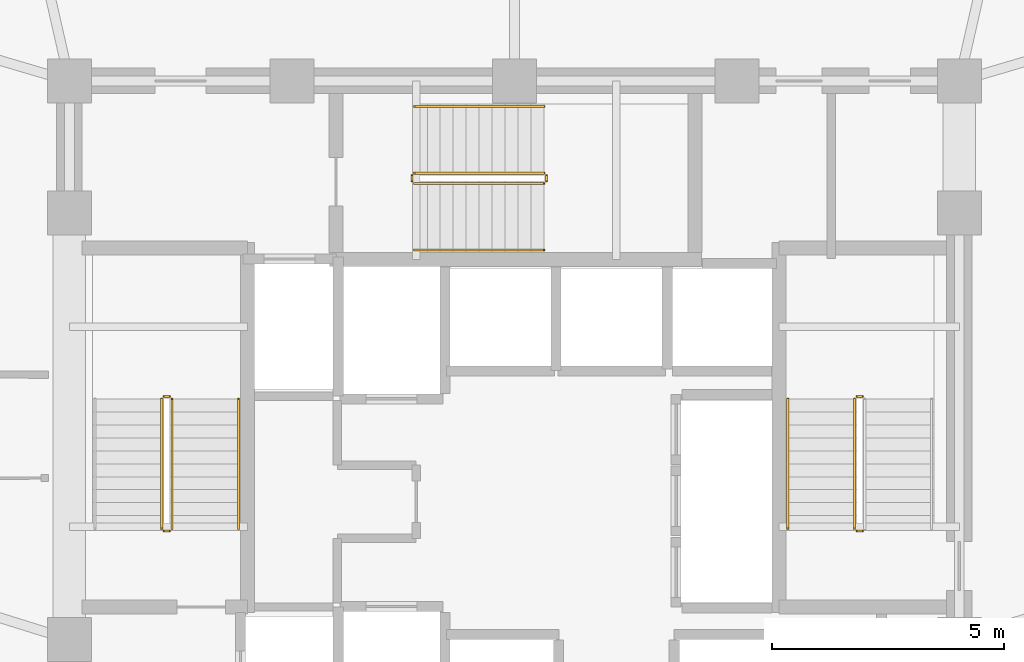
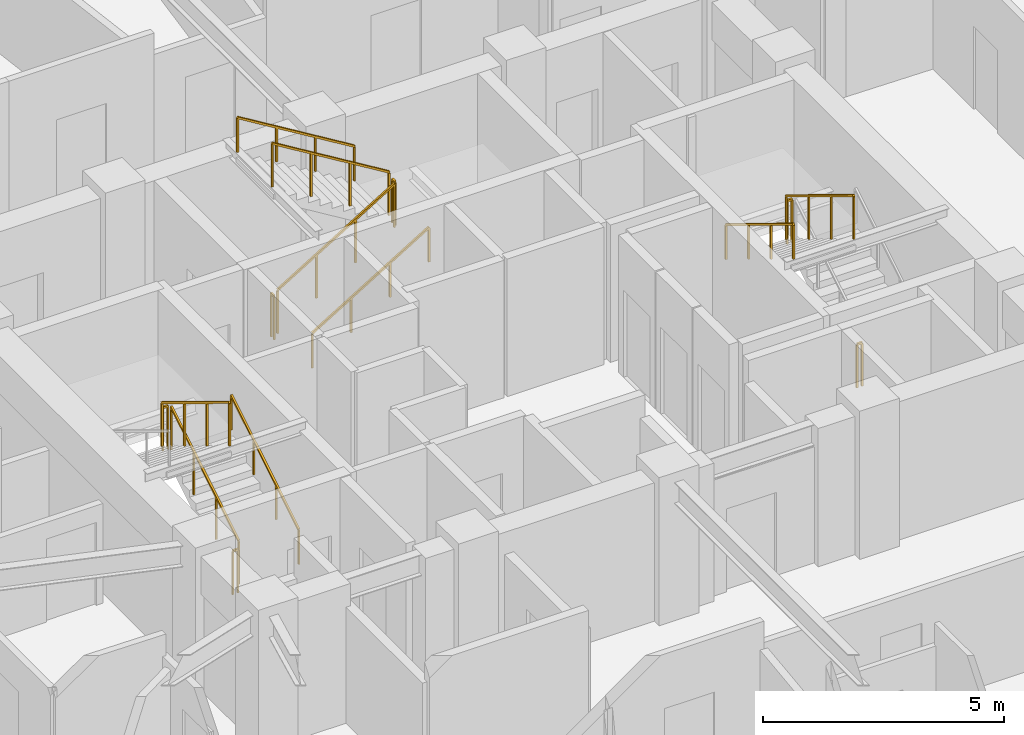
# One storey, part 12 of 13: 15 railings.
"""IFC4 building model written with IfcOpenShell, lengths in metres."""

from ifc_helpers import new_model, si_unit, direction, frame, origin, origin_2d, place, context, subcontext, project, spatial, rectangle, extrude, material, type_object, element, save


model = new_model("IFC4")

# Units and contexts
model_context = context("Model", 3, precision=1e-05, world=origin(), true_north=direction((0.0, 1.0)))
body_context = subcontext(model_context, "Body", "Model", "MODEL_VIEW")
ifc_project = project(units=[si_unit("LENGTHUNIT", "METRE"), si_unit("AREAUNIT", "SQUARE_METRE"), si_unit("VOLUMEUNIT", "CUBIC_METRE"), si_unit("PLANEANGLEUNIT", "RADIAN"), si_unit("MASSUNIT", "GRAM", prefix="KILO")], contexts=[model_context])

# Site, building, storey
site_placement = place(None, origin())
site = spatial("IfcSite", under=ifc_project, at=site_placement, CompositionType="ELEMENT")
building_placement = place(site_placement, origin())
building = spatial("IfcBuilding", under=site, at=building_placement, Name="Vantalir Tower", CompositionType="ELEMENT")
storey_placement = place(building_placement, frame((0.0, 0.0, 172.199951171875)))
storey = spatial("IfcBuildingStorey", under=building, at=storey_placement, Name="L43", CompositionType="ELEMENT", Elevation=172.199951171875)

# Railings
ifc_material_1 = material(Name="Anodised aluminium and stainless steel guard", Category="steel")
railing_type_1 = type_object("IfcRailingType", Name="RAL-GUARD-1120", PredefinedType="GUARDRAIL", material=ifc_material_1)
railing_1_placement = place(storey_placement, frame((24.110107421875, 22.7900390625, 0.17041015625)))
element("IfcRailing", 1, at=railing_1_placement, inside=storey, type_object=railing_type_1, Name="L43 ST1 stair guard 1", PredefinedType="GUARDRAIL", context=body_context, shape_type="SweptSolid", body=[
    extrude(rectangle(XDim=0.048095703125, YDim=0.048095703125, at=origin_2d()), frame((0.0, 0.0, 1.09619140625), z_axis=(0.0, 0.854169791009, 0.51999420009), x_axis=(-1.0, 0.0, 0.0)), (0.0, 0.0, 1.0), 3.278076171875),
    extrude(rectangle(XDim=0.0419921875, YDim=0.0419921875, at=origin_2d()), origin(), (0.0, 0.0, 1.0), 1.072021484375),
    extrude(rectangle(XDim=0.0419921875, YDim=0.0419921875, at=origin_2d()), frame((0.0, 0.933349609375, 0.568115234375)), (0.0, 0.0, 1.0), 1.072021484375),
    extrude(rectangle(XDim=0.0419921875, YDim=0.0419921875, at=origin_2d()), frame((0.0, 1.86669921875, 1.136474609375)), (0.0, 0.0, 1.0), 1.072021484375),
    extrude(rectangle(XDim=0.0419921875, YDim=0.0419921875, at=origin_2d()), frame((0.0, 2.800048828125, 1.70458984375)), (0.0, 0.0, 1.0), 1.072021484375),
])
railing_2_placement = place(storey_placement, frame((24.06005859375, 25.639892578125, 1.875)))
element("IfcRailing", 2, at=railing_2_placement, inside=storey, type_object=railing_type_1, Name="L43 ST1 stair guard 2", PredefinedType="GUARDRAIL", context=body_context, shape_type="SweptSolid", body=[
    extrude(rectangle(XDim=0.048095703125, YDim=0.048095703125, at=origin_2d()), frame((0.0, 0.0, 1.09619140625), z_axis=(-1.0, 0.0, 0.0), x_axis=(0.0, -1.0, 0.0)), (0.0, 0.0, 1.0), 0.1201171875),
    extrude(rectangle(XDim=0.0419921875, YDim=0.0419921875, at=origin_2d()), origin(), (0.0, 0.0, 1.0), 1.072021484375),
    extrude(rectangle(XDim=0.0419921875, YDim=0.0419921875, at=origin_2d()), frame((-0.1201171875, 0.0, 0.0)), (0.0, 0.0, 1.0), 1.072021484375),
])
railing_3_placement = place(storey_placement, frame((23.889892578125, 25.590087890625, 2.04541015625)))
element("IfcRailing", 3, at=railing_3_placement, inside=storey, type_object=railing_type_1, Name="L43 ST1 stair guard 3", PredefinedType="GUARDRAIL", context=body_context, shape_type="SweptSolid", body=[
    extrude(rectangle(XDim=0.048095703125, YDim=0.048095703125, at=origin_2d()), frame((0.0, 0.0, 1.09619140625), z_axis=(0.0, -0.854169791009, 0.51999420009), x_axis=(1.0, 0.0, 0.0)), (0.0, 0.0, 1.0), 3.278076171875),
    extrude(rectangle(XDim=0.0419921875, YDim=0.0419921875, at=origin_2d()), origin(), (0.0, 0.0, 1.0), 1.072021484375),
    extrude(rectangle(XDim=0.0419921875, YDim=0.0419921875, at=origin_2d()), frame((0.0, -0.933349609375, 0.568115234375)), (0.0, 0.0, 1.0), 1.072021484375),
    extrude(rectangle(XDim=0.0419921875, YDim=0.0419921875, at=origin_2d()), frame((0.0, -1.86669921875, 1.136474609375)), (0.0, 0.0, 1.0), 1.072021484375),
    extrude(rectangle(XDim=0.0419921875, YDim=0.0419921875, at=origin_2d()), frame((0.0, -2.800048828125, 1.70458984375)), (0.0, 0.0, 1.0), 1.072021484375),
])
for number, where, name in (
    (4, (24.06005859375, 22.739990234375, 0.0), "L43 ST1 stair guard 4"),
    (5, (39.010009765625, 25.639892578125, 1.875), "L43 ST2 stair guard 2"),
):
    element("IfcRailing", number, at=place(storey_placement, frame(where)), inside=storey, type_object=railing_type_1, Name=name, PredefinedType="GUARDRAIL", context=body_context, shape_type="SweptSolid", body=[
        extrude(rectangle(XDim=0.048095703125, YDim=0.048095703125, at=origin_2d()), frame((0.0, 0.0, 1.09619140625), z_axis=(-1.0, 0.0, 0.0), x_axis=(0.0, -1.0, 0.0)), (0.0, 0.0, 1.0), 0.1201171875),
        extrude(rectangle(XDim=0.0419921875, YDim=0.0419921875, at=origin_2d()), origin(), (0.0, 0.0, 1.0), 1.072021484375),
        extrude(rectangle(XDim=0.0419921875, YDim=0.0419921875, at=origin_2d()), frame((-0.1201171875, 0.0, 0.0)), (0.0, 0.0, 1.0), 1.072021484375),
    ])
railing_4_placement = place(storey_placement, frame((38.840087890625, 25.590087890625, 2.04541015625)))
element("IfcRailing", 6, at=railing_4_placement, inside=storey, type_object=railing_type_1, Name="L43 ST2 stair guard 3", PredefinedType="GUARDRAIL", context=body_context, shape_type="SweptSolid", body=[
    extrude(rectangle(XDim=0.048095703125, YDim=0.048095703125, at=origin_2d()), frame((0.0, 0.0, 1.09619140625), z_axis=(0.0, -0.854169791009, 0.51999420009), x_axis=(1.0, 0.0, 0.0)), (0.0, 0.0, 1.0), 3.278076171875),
    extrude(rectangle(XDim=0.0419921875, YDim=0.0419921875, at=origin_2d()), origin(), (0.0, 0.0, 1.0), 1.072021484375),
    extrude(rectangle(XDim=0.0419921875, YDim=0.0419921875, at=origin_2d()), frame((0.0, -0.933349609375, 0.568115234375)), (0.0, 0.0, 1.0), 1.072021484375),
    extrude(rectangle(XDim=0.0419921875, YDim=0.0419921875, at=origin_2d()), frame((0.0, -1.86669921875, 1.136474609375)), (0.0, 0.0, 1.0), 1.072021484375),
    extrude(rectangle(XDim=0.0419921875, YDim=0.0419921875, at=origin_2d()), frame((0.0, -2.800048828125, 1.70458984375)), (0.0, 0.0, 1.0), 1.072021484375),
])
railing_5_placement = place(storey_placement, frame((39.010009765625, 22.739990234375, 0.0)))
element("IfcRailing", 7, at=railing_5_placement, inside=storey, type_object=railing_type_1, Name="L43 ST2 stair guard 4", PredefinedType="GUARDRAIL", context=body_context, shape_type="SweptSolid", body=[
    extrude(rectangle(XDim=0.048095703125, YDim=0.048095703125, at=origin_2d()), frame((0.0, 0.0, 1.09619140625), z_axis=(-1.0, 0.0, 0.0), x_axis=(0.0, -1.0, 0.0)), (0.0, 0.0, 1.0), 0.1201171875),
    extrude(rectangle(XDim=0.0419921875, YDim=0.0419921875, at=origin_2d()), origin(), (0.0, 0.0, 1.0), 1.072021484375),
    extrude(rectangle(XDim=0.0419921875, YDim=0.0419921875, at=origin_2d()), frame((-0.1201171875, 0.0, 0.0)), (0.0, 0.0, 1.0), 1.072021484375),
])
railing_6_placement = place(storey_placement, frame((29.340087890625, 30.239990234375, 0.17041015625)))
element("IfcRailing", 8, at=railing_6_placement, inside=storey, type_object=railing_type_1, Name="L43 ST3 stair guard 1", PredefinedType="GUARDRAIL", context=body_context, shape_type="SweptSolid", body=[
    extrude(rectangle(XDim=0.048095703125, YDim=0.048095703125, at=origin_2d()), frame((0.0, 0.0, 1.09619140625), z_axis=(0.854149651119, 0.0, 0.520027281489), x_axis=(0.0, 1.0, 0.0)), (0.0, 0.0, 1.0), 3.27783203125),
    extrude(rectangle(XDim=0.0419921875, YDim=0.0419921875, at=origin_2d()), origin(), (0.0, 0.0, 1.0), 1.072021484375),
    extrude(rectangle(XDim=0.0419921875, YDim=0.0419921875, at=origin_2d()), frame((0.933349609375, 0.0, 0.568115234375)), (0.0, 0.0, 1.0), 1.072021484375),
    extrude(rectangle(XDim=0.0419921875, YDim=0.0419921875, at=origin_2d()), frame((1.866455078125, 0.0, 1.136474609375)), (0.0, 0.0, 1.0), 1.072021484375),
    extrude(rectangle(XDim=0.0419921875, YDim=0.0419921875, at=origin_2d()), frame((2.7998046875, 0.0, 1.70458984375)), (0.0, 0.0, 1.0), 1.072021484375),
])
railing_7_placement = place(storey_placement, frame((32.18994140625, 30.2900390625, 1.875)))
element("IfcRailing", 9, at=railing_7_placement, inside=storey, type_object=railing_type_1, Name="L43 ST3 stair guard 2", PredefinedType="GUARDRAIL", context=body_context, shape_type="SweptSolid", body=[
    extrude(rectangle(XDim=0.048095703125, YDim=0.048095703125, at=origin_2d()), frame((0.0, 0.0, 1.09619140625), z_axis=(0.0, 1.0, 0.0), x_axis=(-1.0, 0.0, 0.0)), (0.0, 0.0, 1.0), 0.119873046875),
    extrude(rectangle(XDim=0.0419921875, YDim=0.0419921875, at=origin_2d()), origin(), (0.0, 0.0, 1.0), 1.072021484375),
    extrude(rectangle(XDim=0.0419921875, YDim=0.0419921875, at=origin_2d()), frame((0.0, 0.119873046875, 0.0)), (0.0, 0.0, 1.0), 1.072021484375),
])
railing_8_placement = place(storey_placement, frame((32.139892578125, 30.4599609375, 2.04541015625)))
element("IfcRailing", 10, at=railing_8_placement, inside=storey, type_object=railing_type_1, Name="L43 ST3 stair guard 3", PredefinedType="GUARDRAIL", context=body_context, shape_type="SweptSolid", body=[
    extrude(rectangle(XDim=0.048095703125, YDim=0.048095703125, at=origin_2d()), frame((0.0, 0.0, 1.09619140625), z_axis=(-0.854149651119, 0.0, 0.520027281489), x_axis=(0.0, -1.0, 0.0)), (0.0, 0.0, 1.0), 3.27783203125),
    extrude(rectangle(XDim=0.0419921875, YDim=0.0419921875, at=origin_2d()), origin(), (0.0, 0.0, 1.0), 1.072021484375),
    extrude(rectangle(XDim=0.0419921875, YDim=0.0419921875, at=origin_2d()), frame((-0.933349609375, 0.0, 0.568115234375)), (0.0, 0.0, 1.0), 1.072021484375),
    extrude(rectangle(XDim=0.0419921875, YDim=0.0419921875, at=origin_2d()), frame((-1.866455078125, 0.0, 1.136474609375)), (0.0, 0.0, 1.0), 1.072021484375),
    extrude(rectangle(XDim=0.0419921875, YDim=0.0419921875, at=origin_2d()), frame((-2.7998046875, 0.0, 1.70458984375)), (0.0, 0.0, 1.0), 1.072021484375),
])
railing_9_placement = place(storey_placement, frame((29.2900390625, 30.2900390625, 0.0)))
element("IfcRailing", 11, at=railing_9_placement, inside=storey, type_object=railing_type_1, Name="L43 ST3 stair guard 4", PredefinedType="GUARDRAIL", context=body_context, shape_type="SweptSolid", body=[
    extrude(rectangle(XDim=0.048095703125, YDim=0.048095703125, at=origin_2d()), frame((0.0, 0.0, 1.09619140625), z_axis=(0.0, 1.0, 0.0), x_axis=(-1.0, 0.0, 0.0)), (0.0, 0.0, 1.0), 0.119873046875),
    extrude(rectangle(XDim=0.0419921875, YDim=0.0419921875, at=origin_2d()), origin(), (0.0, 0.0, 1.0), 1.072021484375),
    extrude(rectangle(XDim=0.0419921875, YDim=0.0419921875, at=origin_2d()), frame((0.0, 0.119873046875, 0.0)), (0.0, 0.0, 1.0), 1.072021484375),
])
ifc_material_2 = material(Name="Brushed stainless steel tubular handrail", Category="steel")
railing_type_2 = type_object("IfcRailingType", Name="RAL-HANDRAIL-900", PredefinedType="HANDRAIL", material=ifc_material_2)
railing_10_placement = place(storey_placement, frame((25.550048828125, 22.7900390625, 0.17041015625)))
element("IfcRailing", 12, at=railing_10_placement, inside=storey, type_object=railing_type_2, Name="L43 ST1 stair handrail 1", PredefinedType="HANDRAIL", context=body_context, shape_type="SweptSolid", body=[
    extrude(rectangle(XDim=0.048095703125, YDim=0.048095703125, at=origin_2d()), frame((0.0, 0.0, 0.8759765625), z_axis=(0.0, 0.854169791009, 0.51999420009), x_axis=(-1.0, 0.0, 0.0)), (0.0, 0.0, 1.0), 3.278076171875),
    extrude(rectangle(XDim=0.0419921875, YDim=0.0419921875, at=origin_2d()), origin(), (0.0, 0.0, 1.0), 0.851806640625),
    extrude(rectangle(XDim=0.0419921875, YDim=0.0419921875, at=origin_2d()), frame((0.0, 0.933349609375, 0.568115234375)), (0.0, 0.0, 1.0), 0.851806640625),
    extrude(rectangle(XDim=0.0419921875, YDim=0.0419921875, at=origin_2d()), frame((0.0, 1.86669921875, 1.136474609375)), (0.0, 0.0, 1.0), 0.851806640625),
    extrude(rectangle(XDim=0.0419921875, YDim=0.0419921875, at=origin_2d()), frame((0.0, 2.800048828125, 1.70458984375)), (0.0, 0.0, 1.0), 0.851806640625),
])
railing_11_placement = place(storey_placement, frame((37.39990234375, 25.590087890625, 2.04541015625)))
element("IfcRailing", 13, at=railing_11_placement, inside=storey, type_object=railing_type_2, Name="L43 ST2 stair handrail 2", PredefinedType="HANDRAIL", context=body_context, shape_type="SweptSolid", body=[
    extrude(rectangle(XDim=0.048095703125, YDim=0.048095703125, at=origin_2d()), frame((0.0, 0.0, 0.8759765625), z_axis=(0.0, -0.854169791009, 0.51999420009), x_axis=(1.0, 0.0, 0.0)), (0.0, 0.0, 1.0), 3.278076171875),
    extrude(rectangle(XDim=0.0419921875, YDim=0.0419921875, at=origin_2d()), origin(), (0.0, 0.0, 1.0), 0.851806640625),
    extrude(rectangle(XDim=0.0419921875, YDim=0.0419921875, at=origin_2d()), frame((0.0, -0.933349609375, 0.568115234375)), (0.0, 0.0, 1.0), 0.851806640625),
    extrude(rectangle(XDim=0.0419921875, YDim=0.0419921875, at=origin_2d()), frame((0.0, -1.86669921875, 1.136474609375)), (0.0, 0.0, 1.0), 0.851806640625),
    extrude(rectangle(XDim=0.0419921875, YDim=0.0419921875, at=origin_2d()), frame((0.0, -2.800048828125, 1.70458984375)), (0.0, 0.0, 1.0), 0.851806640625),
])
railing_12_placement = place(storey_placement, frame((29.340087890625, 28.800048828125, 0.17041015625)))
element("IfcRailing", 14, at=railing_12_placement, inside=storey, type_object=railing_type_2, Name="L43 ST3 stair handrail 1", PredefinedType="HANDRAIL", context=body_context, shape_type="SweptSolid", body=[
    extrude(rectangle(XDim=0.048095703125, YDim=0.048095703125, at=origin_2d()), frame((0.0, 0.0, 0.8759765625), z_axis=(0.854149651119, 0.0, 0.520027281489), x_axis=(0.0, 1.0, 0.0)), (0.0, 0.0, 1.0), 3.27783203125),
    extrude(rectangle(XDim=0.0419921875, YDim=0.0419921875, at=origin_2d()), origin(), (0.0, 0.0, 1.0), 0.851806640625),
    extrude(rectangle(XDim=0.0419921875, YDim=0.0419921875, at=origin_2d()), frame((0.933349609375, 0.0, 0.568115234375)), (0.0, 0.0, 1.0), 0.851806640625),
    extrude(rectangle(XDim=0.0419921875, YDim=0.0419921875, at=origin_2d()), frame((1.866455078125, 0.0, 1.136474609375)), (0.0, 0.0, 1.0), 0.851806640625),
    extrude(rectangle(XDim=0.0419921875, YDim=0.0419921875, at=origin_2d()), frame((2.7998046875, 0.0, 1.70458984375)), (0.0, 0.0, 1.0), 0.851806640625),
])
railing_13_placement = place(storey_placement, frame((32.139892578125, 31.89990234375, 2.04541015625)))
element("IfcRailing", 15, at=railing_13_placement, inside=storey, type_object=railing_type_2, Name="L43 ST3 stair handrail 2", PredefinedType="HANDRAIL", context=body_context, shape_type="SweptSolid", body=[
    extrude(rectangle(XDim=0.048095703125, YDim=0.048095703125, at=origin_2d()), frame((0.0, 0.0, 0.8759765625), z_axis=(-0.854149651119, 0.0, 0.520027281489), x_axis=(0.0, -1.0, 0.0)), (0.0, 0.0, 1.0), 3.27783203125),
    extrude(rectangle(XDim=0.0419921875, YDim=0.0419921875, at=origin_2d()), origin(), (0.0, 0.0, 1.0), 0.851806640625),
    extrude(rectangle(XDim=0.0419921875, YDim=0.0419921875, at=origin_2d()), frame((-0.933349609375, 0.0, 0.568115234375)), (0.0, 0.0, 1.0), 0.851806640625),
    extrude(rectangle(XDim=0.0419921875, YDim=0.0419921875, at=origin_2d()), frame((-1.866455078125, 0.0, 1.136474609375)), (0.0, 0.0, 1.0), 0.851806640625),
    extrude(rectangle(XDim=0.0419921875, YDim=0.0419921875, at=origin_2d()), frame((-2.7998046875, 0.0, 1.70458984375)), (0.0, 0.0, 1.0), 0.851806640625),
])

save(model, "model.ifc")
